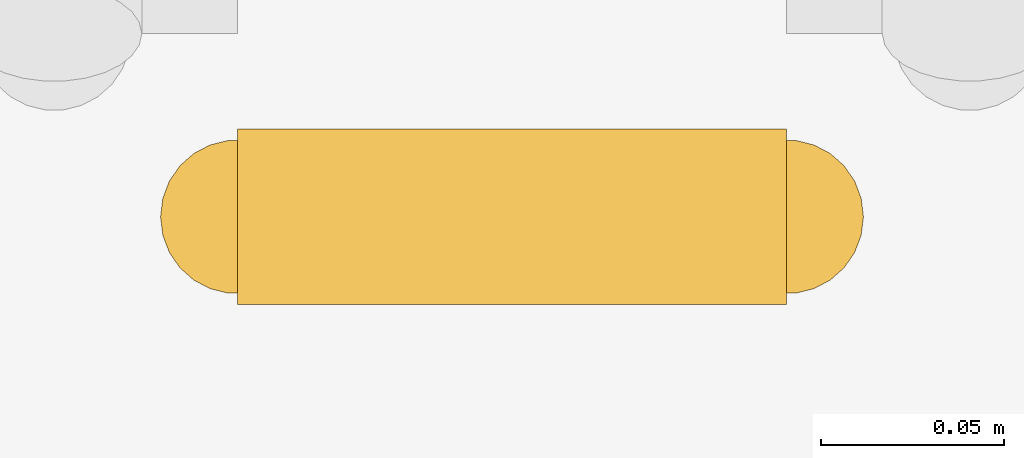
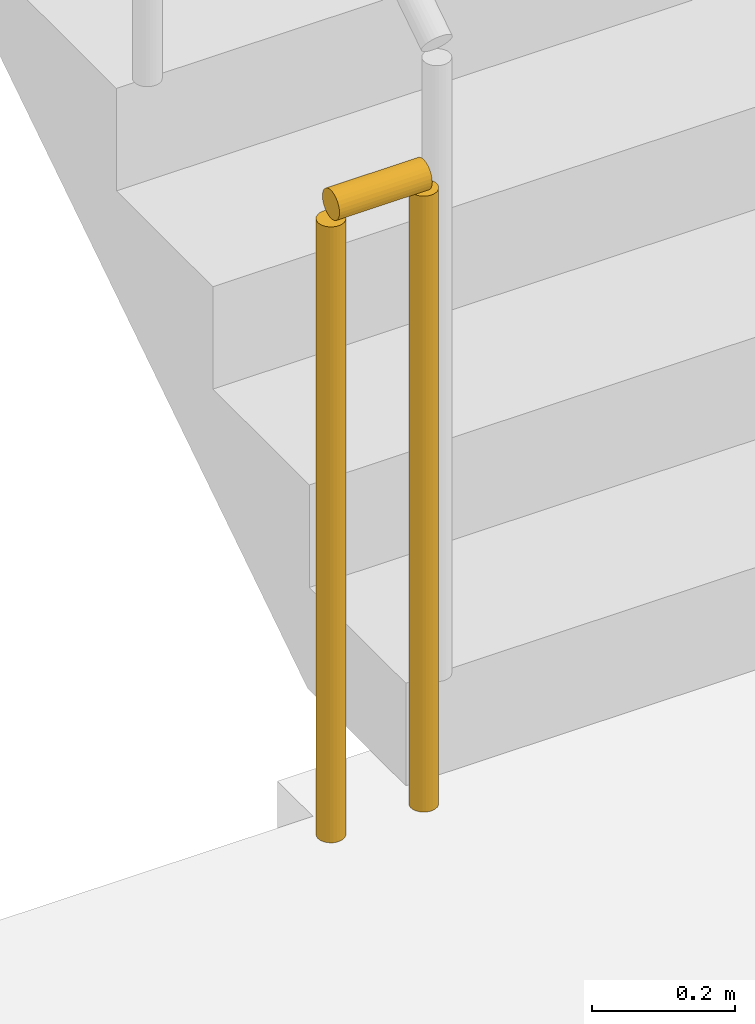
# One storey, part 17 of 20: 1 railing.
"""IFC4 building model written with IfcOpenShell, lengths in metres."""

import ifcopenshell
import ifcopenshell.guid

model = None  # the IFC model being written
_history = None  # IfcOwnerHistory: only IFC2X3 demands one
_inside = {}  # id of a spatial element -> (the spatial element, [elements in it])
_under = {}  # id of a project, library or spatial element -> (it, [spatial elements below it])
_declared = {}  # id of a project -> (the project, [libraries it declares])
_typed = {}  # id of a type object -> (the type object, [elements of that type])
_made_of = {}  # id of a material, layer set ... -> (it, [elements and type objects made of it])


def new_model(schema):
    """Start an empty IFC model of exactly this schema.

    Asked for "IFC4X3", IfcOpenShell would pick the latest addendum, in which some entities
    have other attributes; the version numbers below select the first issue.
    IFC2X3 requires an IfcOwnerHistory on every rooted entity: one is made here for all.
    """
    global model, _history
    if schema == "IFC4X3":
        model = ifcopenshell.file(schema_version=(4, 3, 0, 0))
    else:
        model = ifcopenshell.file(schema=schema)
    _inside.clear()
    _under.clear()
    _declared.clear()
    _typed.clear()
    _made_of.clear()
    _history = None
    if model.schema == "IFC2X3":
        org = make("IfcOrganization", Name="unknown")
        user = make(
            "IfcPersonAndOrganization",
            ThePerson=make("IfcPerson", FamilyName="unknown"),
            TheOrganization=org,
        )
        app = make(
            "IfcApplication",
            ApplicationDeveloper=org,
            Version="unknown",
            ApplicationFullName="unknown",
            ApplicationIdentifier="unknown",
        )
        _history = make(
            "IfcOwnerHistory",
            OwningUser=user,
            OwningApplication=app,
            ChangeAction="ADDED",
            CreationDate=0,
        )
    return model


def make(cls, **values):
    """One entity of the class cls with the attributes given. An attribute that is None is left unset."""
    return model.create_entity(
        cls, **{name: value for name, value in values.items() if value is not None}
    )


def rooted(cls, **values):
    """An entity with a GlobalId (a new one), such as an element, a storey or a relation."""
    return make(cls, GlobalId=ifcopenshell.guid.new(), OwnerHistory=_history, **values)


def si_unit(unit_type, name, prefix=None):
    """IfcSIUnit, for example si_unit("LENGTHUNIT", "METRE", prefix="MILLI")."""
    return make("IfcSIUnit", UnitType=unit_type, Prefix=prefix, Name=name)


def assignment(units):
    """IfcUnitAssignment: the units of a project."""
    return None if units is None else make("IfcUnitAssignment", Units=units)


def point(xyz):
    """IfcCartesianPoint."""
    return None if xyz is None else make("IfcCartesianPoint", Coordinates=xyz)


def direction(xyz):
    """IfcDirection."""
    return None if xyz is None else make("IfcDirection", DirectionRatios=xyz)


def frame(location, z_axis=None, x_axis=None):
    """IfcAxis2Placement3D, a coordinate frame: its origin and axes. An axis left out is left unset."""
    return make(
        "IfcAxis2Placement3D",
        Location=point(location),
        Axis=direction(z_axis),
        RefDirection=direction(x_axis),
    )


def frame_2d(location, x_axis=None):
    """IfcAxis2Placement2D, a coordinate frame in the plane: its origin and x axis."""
    return make(
        "IfcAxis2Placement2D", Location=point(location), RefDirection=direction(x_axis)
    )


def origin():
    """The frame at (0, 0, 0) with its axes left unset."""
    return frame((0.0, 0.0, 0.0))


def origin_2d():
    """The frame at (0, 0) in the plane with its x axis left unset."""
    return frame_2d((0.0, 0.0))


def place(relative_to, where):
    """IfcLocalPlacement: puts the frame where relative to a parent placement (None: the world)."""
    return make(
        "IfcLocalPlacement", PlacementRelTo=relative_to, RelativePlacement=where
    )


def context(
    kind, dimensions, precision=None, world=None, true_north=None, identifier=None
):
    """IfcGeometricRepresentationContext, for example the 3D "Model" context."""
    return make(
        "IfcGeometricRepresentationContext",
        ContextIdentifier=identifier,
        ContextType=kind,
        CoordinateSpaceDimension=dimensions,
        Precision=precision,
        WorldCoordinateSystem=world,
        TrueNorth=true_north,
    )


def subcontext(parent, identifier, kind, view, scale=None):
    """IfcGeometricRepresentationSubContext, for example "Body" below "Model"."""
    return make(
        "IfcGeometricRepresentationSubContext",
        ContextIdentifier=identifier,
        ContextType=kind,
        ParentContext=parent,
        TargetScale=scale,
        TargetView=view,
    )


def project(units=None, contexts=None):
    """IfcProject with its units and contexts."""
    return rooted(
        "IfcProject",
        Name="project",
        RepresentationContexts=contexts,
        UnitsInContext=assignment(units),
    )


def spatial(cls, under=None, at=None, **own):
    """A site, building, storey or space (cls), placed at a placement, below another one or the project."""
    s = rooted(cls, ObjectPlacement=at, **own)
    if under is not None:
        _under.setdefault(under.id(), (under, []))[1].append(s)
    return s


def profile(cls, at=None, kind="AREA", **sizes):
    """A parametric profile (cls). Its sizes go by their IFC names, for example OverallWidth=200.0."""
    return make(cls, ProfileType=kind, Position=at, **sizes)


def circle(**sizes):
    """IfcCircleProfileDef."""
    return profile("IfcCircleProfileDef", **sizes)


def extrude(swept, where, along, depth):
    """IfcExtrudedAreaSolid: the profile swept, set in the frame where, extruded along a direction by depth."""
    return make(
        "IfcExtrudedAreaSolid",
        SweptArea=swept,
        Position=where,
        ExtrudedDirection=direction(along),
        Depth=depth,
    )


def shape(context_of_items, identifier, shape_type, items):
    """IfcShapeRepresentation: the items that make up one representation, for example the "Body"."""
    return make(
        "IfcShapeRepresentation",
        ContextOfItems=context_of_items,
        RepresentationIdentifier=identifier,
        RepresentationType=shape_type,
        Items=items,
    )


def material(Name=None, Category=None):
    """IfcMaterial."""
    return make("IfcMaterial", Name=Name, Category=Category)


def made_of(thing, what):
    """Note that an element or type object is made of a material, layer set ...; save() writes the relation."""
    if what is not None:
        _made_of.setdefault(what.id(), (what, []))[1].append(thing)
    return thing


def type_object(cls, material=None, **own):
    """A type object (cls), such as IfcWallType, which elements share."""
    return made_of(rooted(cls, **own), material)


def element(
    cls,
    number,
    at=None,
    inside=None,
    cuts=None,
    type_object=None,
    material=None,
    context=None,
    identifier="Body",
    shape_type=None,
    held_by="IfcProductDefinitionShape",
    body=None,
    shapes=None,
    **own,
):
    """One element of the class cls, such as IfcWall. Its Tag is "e" and its number.

    at: its placement. inside: the storey or other place that contains it. cuts: it is an
    opening in that element (IfcRelVoidsElement). A single representation is given by context,
    identifier, shape_type and body (its items); several are given by shapes. held_by: the class
    of the entity that holds the representations. save() writes the other relations.
    """
    e = rooted(cls, Tag="e%d" % number, ObjectPlacement=at, **own)
    if body is not None:
        shapes = [shape(context, identifier, shape_type, body)]
    if shapes is not None:
        e.Representation = make(held_by, Representations=shapes)
    if inside is not None:
        _inside.setdefault(inside.id(), (inside, []))[1].append(e)
    if cuts is not None:
        rooted(
            "IfcRelVoidsElement", RelatingBuildingElement=cuts, RelatedOpeningElement=e
        )
    if type_object is not None:
        _typed.setdefault(type_object.id(), (type_object, []))[1].append(e)
    return made_of(e, material)


def aggregate(whole, parts):
    """IfcRelAggregates: a whole, such as a stair, and the parts it consists of."""
    return rooted("IfcRelAggregates", RelatingObject=whole, RelatedObjects=parts)


def save(model, path):
    """Write the relations noted so far, then the file.

    IfcRelAggregates (storeys below a building ...), IfcRelContainedInSpatialStructure (elements
    in a storey), IfcRelDefinesByType, IfcRelAssociatesMaterial and IfcRelDeclares: one each for
    every whole, place, type object, material and project.
    """
    for whole, parts in _under.values():
        aggregate(whole, parts)
    for where, things in _inside.values():
        rooted(
            "IfcRelContainedInSpatialStructure",
            RelatedElements=things,
            RelatingStructure=where,
        )
    for kind, things in _typed.values():
        rooted("IfcRelDefinesByType", RelatedObjects=things, RelatingType=kind)
    for what, things in _made_of.values():
        rooted("IfcRelAssociatesMaterial", RelatedObjects=things, RelatingMaterial=what)
    for by, libraries in _declared.values():
        rooted("IfcRelDeclares", RelatingContext=by, RelatedDefinitions=libraries)
    model.write(path)


model = new_model("IFC4")

# Units and contexts
model_context = context("Model", 3, precision=1e-05, world=origin(), true_north=direction((0.0, 1.0)))
body_context = subcontext(model_context, "Body", "Model", "MODEL_VIEW")
ifc_project = project(units=[si_unit("LENGTHUNIT", "METRE"), si_unit("AREAUNIT", "SQUARE_METRE"), si_unit("VOLUMEUNIT", "CUBIC_METRE"), si_unit("PLANEANGLEUNIT", "RADIAN"), si_unit("MASSUNIT", "GRAM", prefix="KILO")], contexts=[model_context])

# Site, building, storey
site_placement = place(None, origin())
site = spatial("IfcSite", under=ifc_project, at=site_placement, CompositionType="ELEMENT")
building_placement = place(site_placement, origin())
building = spatial("IfcBuilding", under=site, at=building_placement, Name="Saffron Iwan Residences", CompositionType="ELEMENT")
storey_placement = place(building_placement, frame((0.0, 0.0, 167.5)))
storey = spatial("IfcBuildingStorey", under=building, at=storey_placement, Name="L44", CompositionType="ELEMENT", Elevation=167.5)

# Railing
ifc_material = material(Name="Steel S355", Category="steel")
railing_type = type_object("IfcRailingType", Name="Stair guard 1100", PredefinedType="GUARDRAIL", material=ifc_material)
railing_placement = place(storey_placement, frame((69.699951171875, 67.800048828125, 0.0)))
element("IfcRailing", 1, at=railing_placement, inside=storey, type_object=railing_type, Name="L44 ST-E stair guard 2", PredefinedType="GUARDRAIL", context=body_context, shape_type="SweptSolid", body=[
    extrude(circle(Radius=0.02392578125, at=origin_2d()), frame((0.0, 0.0, 1.076171875), z_axis=(-1.0, 0.0, 0.0), x_axis=(0.0, -1.0, 0.0)), (0.0, 0.0, 1.0), 0.14990234375),
    extrude(circle(Radius=0.02099609375, at=origin_2d()), origin(), (0.0, 0.0, 1.0), 1.052001953125),
    extrude(circle(Radius=0.02099609375, at=origin_2d()), frame((-0.14990234375, 0.0, 0.0)), (0.0, 0.0, 1.0), 1.052001953125),
])

save(model, "model.ifc")
